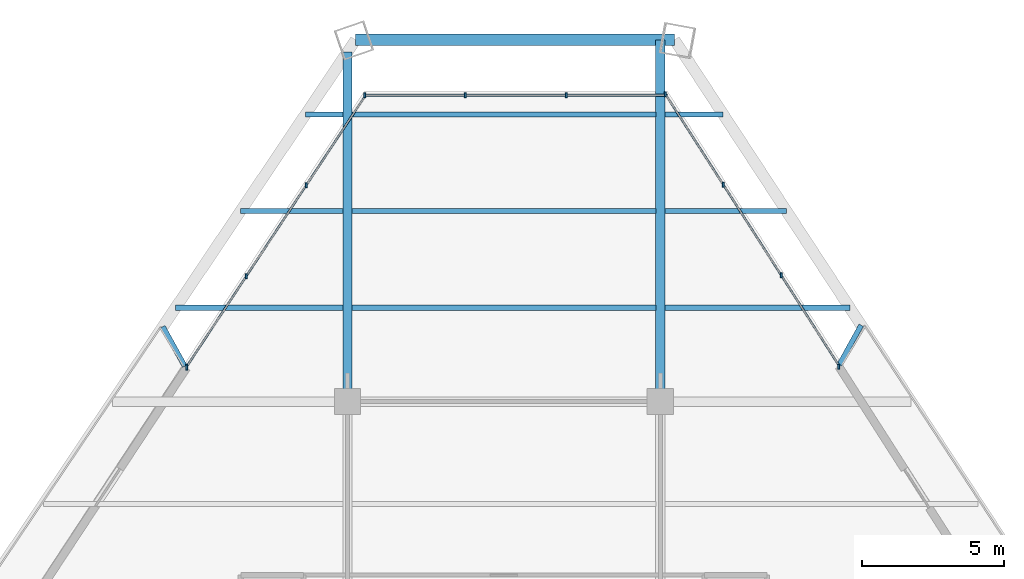
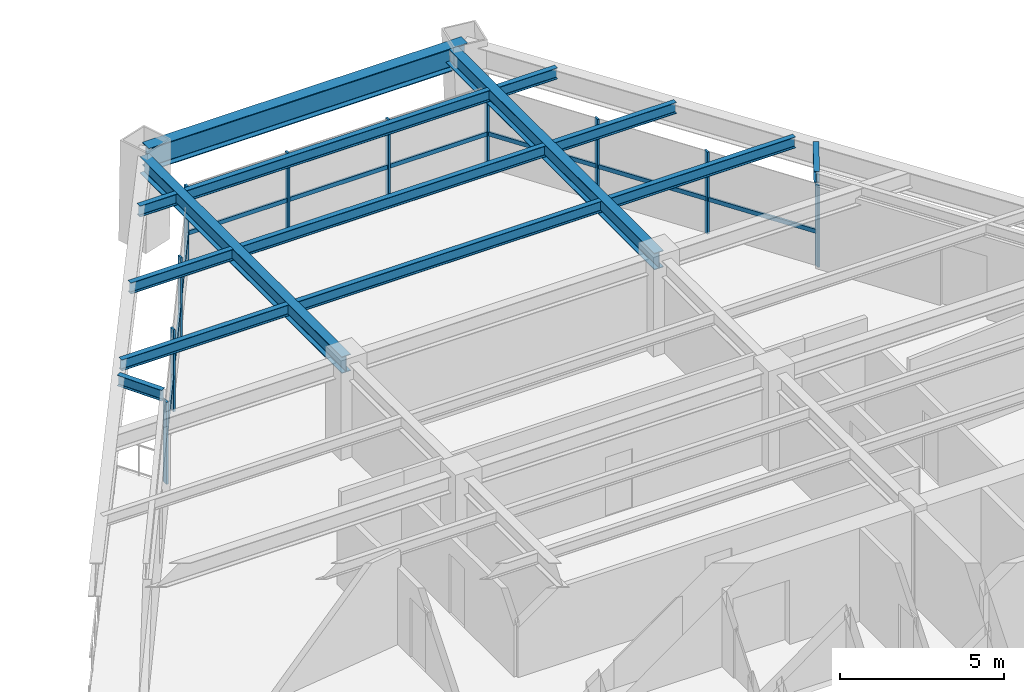
# One storey, part 8 of 14: 20 members, 14 beams, 3 elements without a shape of their own.
"""IFC4 building model written with IfcOpenShell, lengths in metres."""

from ifc_helpers import new_model, si_unit, direction, frame, origin, origin_2d, place, context, subcontext, project, spatial, rectangle, i_section, extrude, source, transform, mapped, material, material_profile, profile_set, type_object, type_shapes, element, aggregate, save


model = new_model("IFC4")

# Units and contexts
model_context = context("Model", 3, precision=1e-05, world=origin(), true_north=direction((0.0, 1.0)))
body_context = subcontext(model_context, "Body", "Model", "MODEL_VIEW")
ifc_project = project(units=[si_unit("LENGTHUNIT", "METRE"), si_unit("AREAUNIT", "SQUARE_METRE"), si_unit("VOLUMEUNIT", "CUBIC_METRE"), si_unit("PLANEANGLEUNIT", "RADIAN"), si_unit("MASSUNIT", "GRAM", prefix="KILO")], contexts=[model_context])

# Site, building, storey
site_placement = place(None, origin())
site = spatial("IfcSite", under=ifc_project, at=site_placement, CompositionType="ELEMENT")
building_placement = place(site_placement, origin())
building = spatial("IfcBuilding", under=site, at=building_placement, Name="Varnakhor Terracotta Tower", CompositionType="ELEMENT")
storey_placement = place(building_placement, frame((0.0, 0.0, 125.60009765625)))
storey = spatial("IfcBuildingStorey", under=building, at=storey_placement, Name="L31", CompositionType="ELEMENT", Elevation=125.60009765625)

# Beams
ifc_material_1 = material(Name="Steel S355", Category="steel")
ifc_material_profile_1 = material_profile(ifc_material_1, i_section(OverallWidth=0.179931640625, OverallDepth=0.4130859375, WebThickness=0.009765625, FlangeThickness=0.01611328125, FilletRadius=0.01806640625, at=origin_2d()), Name="W16X50")
ifc_profile_set_1 = profile_set([ifc_material_profile_1], Name="Steel S355")
beam_type_1 = type_object("IfcBeamType", Name="JST-W16X50", PredefinedType="JOIST", material=ifc_profile_set_1)
shared_shape_1 = source(origin(), body_context, "Body", "SweptSolid", [
    extrude(i_section(OverallWidth=0.179931640625, OverallDepth=0.4130859375, WebThickness=0.009765625, FlangeThickness=0.01611328125, FilletRadius=0.01806640625, at=origin_2d()), origin(), (0.0, 0.0, 1.0), 10.68310546875),
])
for number, where, z_axis, x_axis, name in (
    (1, (-5.341552734375, 34.800048828125, 3.263427734375), (1.0, 0.0, 0.0), (0.0, 1.0, 0.0), "L31 Composite Floor Joist 7-2"),
    (2, (-5.341552734375, 38.199951171875, 3.263427734375), (1.0, 0.0, 0.0), (0.0, 1.0, 0.0), "L31 Composite Floor Joist 8-2"),
    (3, (-5.341552734375, 41.60009765625, 3.263427734375), (1.0, 0.0, 0.0), (0.0, 1.0, 0.0), "L31 Composite Floor Joist 9-2"),
):
    element("IfcBeam", number, at=place(storey_placement, frame(where, z_axis=z_axis, x_axis=x_axis)), inside=storey, type_object=beam_type_1, Name=name, PredefinedType="JOIST", context=body_context, shape_type="MappedRepresentation", body=[
        mapped(shared_shape_1, transform((0.0, 0.0, 0.0), scale=1.0)),
    ])
ifc_material_profile_2 = material_profile(ifc_material_1, i_section(OverallWidth=0.39990234375, OverallDepth=0.85498046875, WebThickness=0.01806640625, FlangeThickness=0.029052734375, FilletRadius=0.01806640625, at=origin_2d()), Name="W33X201")
ifc_profile_set_2 = profile_set([ifc_material_profile_2], Name="Steel S355")
beam_type_2 = type_object("IfcBeamType", Name="BM-W33X201", PredefinedType="BEAM", material=ifc_profile_set_2)
shared_shape_2 = source(origin(), body_context, "Body", "SweptSolid", [
    extrude(i_section(OverallWidth=0.39990234375, OverallDepth=0.85498046875, WebThickness=0.01806640625, FlangeThickness=0.029052734375, FilletRadius=0.01806640625, at=origin_2d()), origin(), (0.0, 0.0, 1.0), 11.21240234375),
])
beam_1_placement = place(storey_placement, frame((5.99755859375, 44.220947265625, 3.04248046875), z_axis=(-1.0, 0.0, 0.0), x_axis=(0.0, -1.0, 0.0)))
element("IfcBeam", 4, at=beam_1_placement, inside=storey, type_object=beam_type_2, Name="L31 Perimeter Spandrel 5", PredefinedType="BEAM", context=body_context, shape_type="MappedRepresentation", body=[
    mapped(shared_shape_2, transform((0.0, 0.0, 0.0), scale=1.0)),
])
ifc_material_profile_3 = material_profile(ifc_material_1, i_section(OverallWidth=0.324951171875, OverallDepth=0.615966796875, WebThickness=0.013916015625, FlangeThickness=0.02197265625, FilletRadius=0.01806640625, at=origin_2d()), Name="W24X117")
ifc_profile_set_3 = profile_set([ifc_material_profile_3], Name="Steel S355")
beam_type_3 = type_object("IfcBeamType", Name="BM-W24X117", PredefinedType="BEAM", material=ifc_profile_set_3)
shared_shape_3 = source(origin(), body_context, "Body", "SweptSolid", [
    extrude(i_section(OverallWidth=0.324951171875, OverallDepth=0.615966796875, WebThickness=0.013916015625, FlangeThickness=0.02197265625, FilletRadius=0.01806640625, at=origin_2d()), origin(), (0.0, 0.0, 1.0), 12.296875),
])
beam_2_placement = place(storey_placement, frame((-5.5, 31.5, 3.161865234375), z_axis=(0.0, 1.0, 0.0), x_axis=(-1.0, 0.0, 0.0)))
element("IfcBeam", 5, at=beam_2_placement, inside=storey, type_object=beam_type_3, Name="L31 Primary Girder NS3-W", PredefinedType="BEAM", context=body_context, shape_type="MappedRepresentation", body=[
    mapped(shared_shape_3, transform((0.0, 0.0, 0.0), scale=1.0)),
])
shared_shape_4 = source(origin(), body_context, "Body", "SweptSolid", [
    extrude(i_section(OverallWidth=0.324951171875, OverallDepth=0.615966796875, WebThickness=0.013916015625, FlangeThickness=0.02197265625, FilletRadius=0.01806640625, at=origin_2d()), origin(), (0.0, 0.0, 1.0), 12.720947265625),
])
beam_3_placement = place(storey_placement, frame((5.5, 31.5, 3.161865234375), z_axis=(0.0, 1.0, 0.0), x_axis=(-1.0, 0.0, 0.0)))
element("IfcBeam", 6, at=beam_3_placement, inside=storey, type_object=beam_type_3, Name="L31 Primary Girder NS3-E", PredefinedType="BEAM", context=body_context, shape_type="MappedRepresentation", body=[
    mapped(shared_shape_4, transform((0.0, 0.0, 0.0), scale=1.0)),
])
shared_shape_5 = source(origin(), body_context, "Body", "SweptSolid", [
    extrude(i_section(OverallWidth=0.179931640625, OverallDepth=0.4130859375, WebThickness=0.009765625, FlangeThickness=0.01611328125, FilletRadius=0.01806640625, at=origin_2d()), origin(), (0.0, 0.0, 1.0), 5.88818359375),
])
beam_4_placement = place(storey_placement, frame((-11.546630859375, 34.800048828125, 3.263427734375), z_axis=(1.0, 0.0, 0.0), x_axis=(0.0, 1.0, 0.0)))
element("IfcBeam", 7, at=beam_4_placement, inside=storey, type_object=beam_type_1, Name="L31 Composite Floor Joist 7-1", PredefinedType="JOIST", context=body_context, shape_type="MappedRepresentation", body=[
    mapped(shared_shape_5, transform((0.0, 0.0, 0.0), scale=1.0)),
])
shared_shape_6 = source(origin(), body_context, "Body", "SweptSolid", [
    extrude(i_section(OverallWidth=0.179931640625, OverallDepth=0.4130859375, WebThickness=0.009765625, FlangeThickness=0.01611328125, FilletRadius=0.01806640625, at=origin_2d()), origin(), (0.0, 0.0, 1.0), 6.504150390625),
])
beam_5_placement = place(storey_placement, frame((5.658447265625, 34.800048828125, 3.263427734375), z_axis=(1.0, 0.0, 0.0), x_axis=(0.0, 1.0, 0.0)))
element("IfcBeam", 8, at=beam_5_placement, inside=storey, type_object=beam_type_1, Name="L31 Composite Floor Joist 7-3", PredefinedType="JOIST", context=body_context, shape_type="MappedRepresentation", body=[
    mapped(shared_shape_6, transform((0.0, 0.0, 0.0), scale=1.0)),
])
shared_shape_7 = source(origin(), body_context, "Body", "SweptSolid", [
    extrude(i_section(OverallWidth=0.179931640625, OverallDepth=0.4130859375, WebThickness=0.009765625, FlangeThickness=0.01611328125, FilletRadius=0.01806640625, at=origin_2d()), origin(), (0.0, 0.0, 1.0), 3.603271484375),
])
beam_6_placement = place(storey_placement, frame((-9.26171875, 38.199951171875, 3.263427734375), z_axis=(1.0, 0.0, 0.0), x_axis=(0.0, 1.0, 0.0)))
element("IfcBeam", 9, at=beam_6_placement, inside=storey, type_object=beam_type_1, Name="L31 Composite Floor Joist 8-1", PredefinedType="JOIST", context=body_context, shape_type="MappedRepresentation", body=[
    mapped(shared_shape_7, transform((0.0, 0.0, 0.0), scale=1.0)),
])
shared_shape_8 = source(origin(), body_context, "Body", "SweptSolid", [
    extrude(i_section(OverallWidth=0.179931640625, OverallDepth=0.4130859375, WebThickness=0.009765625, FlangeThickness=0.01611328125, FilletRadius=0.01806640625, at=origin_2d()), origin(), (0.0, 0.0, 1.0), 4.279052734375),
])
beam_7_placement = place(storey_placement, frame((5.658447265625, 38.199951171875, 3.263427734375), z_axis=(1.0, 0.0, 0.0), x_axis=(0.0, 1.0, 0.0)))
element("IfcBeam", 10, at=beam_7_placement, inside=storey, type_object=beam_type_1, Name="L31 Composite Floor Joist 8-3", PredefinedType="JOIST", context=body_context, shape_type="MappedRepresentation", body=[
    mapped(shared_shape_8, transform((0.0, 0.0, 0.0), scale=1.0)),
])
shared_shape_9 = source(origin(), body_context, "Body", "SweptSolid", [
    extrude(i_section(OverallWidth=0.179931640625, OverallDepth=0.4130859375, WebThickness=0.009765625, FlangeThickness=0.01611328125, FilletRadius=0.01806640625, at=origin_2d()), origin(), (0.0, 0.0, 1.0), 1.318115234375),
])
beam_8_placement = place(storey_placement, frame((-6.9765625, 41.60009765625, 3.263427734375), z_axis=(1.0, 0.0, 0.0), x_axis=(0.0, 1.0, 0.0)))
element("IfcBeam", 11, at=beam_8_placement, inside=storey, type_object=beam_type_1, Name="L31 Composite Floor Joist 9-1", PredefinedType="JOIST", context=body_context, shape_type="MappedRepresentation", body=[
    mapped(shared_shape_9, transform((0.0, 0.0, 0.0), scale=1.0)),
])
shared_shape_10 = source(origin(), body_context, "Body", "SweptSolid", [
    extrude(i_section(OverallWidth=0.179931640625, OverallDepth=0.4130859375, WebThickness=0.009765625, FlangeThickness=0.01611328125, FilletRadius=0.01806640625, at=origin_2d()), origin(), (0.0, 0.0, 1.0), 2.05419921875),
])
beam_9_placement = place(storey_placement, frame((5.658447265625, 41.60009765625, 3.263427734375), z_axis=(1.0, 0.0, 0.0), x_axis=(0.0, 1.0, 0.0)))
element("IfcBeam", 12, at=beam_9_placement, inside=storey, type_object=beam_type_1, Name="L31 Composite Floor Joist 9-3", PredefinedType="JOIST", context=body_context, shape_type="MappedRepresentation", body=[
    mapped(shared_shape_10, transform((0.0, 0.0, 0.0), scale=1.0)),
])

# Curtain wall, members
ifc_material_2 = material(Name="Anodised Aluminium Curtain Wall System", Category="aluminium")
curtain_wall_type = type_object("IfcCurtainWallType", Name="CW-SYS-MID-OFFICE", PredefinedType="NOTDEFINED", material=ifc_material_2)
curtain_wall_1_placement = place(storey_placement, origin())
curtain_wall_1 = element("IfcCurtainWall", 13, at=curtain_wall_1_placement, inside=storey, type_object=curtain_wall_type, Name="L31 W Facet Curtain Wall 2", PredefinedType="NOTDEFINED")
ifc_material_3 = material(Name="Anodised Aluminium 6063-T6", Category="aluminium")
ifc_material_profile_4 = material_profile(ifc_material_3, rectangle(XDim=0.070068359375, YDim=0.175048828125, at=origin_2d()), Name="ALU MULLION 70x175")
ifc_profile_set_4 = profile_set([ifc_material_profile_4], Name="Anodised Aluminium 6063-T6")
member_type_1 = type_object("IfcMemberType", Name="CWM-03", PredefinedType="MULLION", material=ifc_profile_set_4)
shared_shape_11 = source(origin(), body_context, "Body", "SweptSolid", [
    extrude(rectangle(XDim=0.070068359375, YDim=0.175048828125, at=origin_2d()), origin(), (0.0, 0.0, 1.0), 3.0498046875),
])
type_shapes(member_type_1, [shared_shape_11])
member_1_placement = place(storey_placement, frame((-11.159912109375, 32.720703125, 0.0), z_axis=(0.0, 0.0, 1.0), x_axis=(1.0, 0.0, 0.0)))
member_1 = element("IfcMember", 14, at=member_1_placement, type_object=member_type_1, Name="L31 W Facet Curtain Wall 2 Mullion 1", PredefinedType="MULLION", context=body_context, shape_type="MappedRepresentation", body=[
    mapped(shared_shape_11, transform((0.0, 0.0, 0.0), scale=1.0)),
])
member_2_placement = place(storey_placement, frame((-9.0537109375, 35.916015625, 0.0), z_axis=(0.0, 0.0, 1.0), x_axis=(1.0, 0.0, 0.0)))
member_2 = element("IfcMember", 15, at=member_2_placement, type_object=member_type_1, Name="L31 W Facet Curtain Wall 2 Mullion 2", PredefinedType="MULLION", context=body_context, shape_type="MappedRepresentation", body=[
    mapped(shared_shape_11, transform((0.0, 0.0, 0.0), scale=1.0)),
])
member_3_placement = place(storey_placement, frame((-6.947509765625, 39.111083984375, 0.0), z_axis=(0.0, 0.0, 1.0), x_axis=(1.0, 0.0, 0.0)))
member_3 = element("IfcMember", 16, at=member_3_placement, type_object=member_type_1, Name="L31 W Facet Curtain Wall 2 Mullion 3", PredefinedType="MULLION", context=body_context, shape_type="MappedRepresentation", body=[
    mapped(shared_shape_11, transform((0.0, 0.0, 0.0), scale=1.0)),
])
member_4_placement = place(storey_placement, frame((-11.159912109375, 32.684814453125, 0.0), z_axis=(0.0, 0.0, 1.0), x_axis=(1.0, 0.0, 0.0)))
member_4 = element("IfcMember", 17, at=member_4_placement, type_object=member_type_1, Name="L31 W Loggia Jamb Closure Mullion 2", PredefinedType="MULLION", context=body_context, shape_type="MappedRepresentation", body=[
    mapped(shared_shape_11, transform((0.0, 0.0, 0.0), scale=1.0)),
])

curtain_wall_2_placement = place(storey_placement, origin())
curtain_wall_2 = element("IfcCurtainWall", 18, at=curtain_wall_2_placement, inside=storey, type_object=curtain_wall_type, Name="L31 Facet Curtain Wall 2", PredefinedType="NOTDEFINED")
member_5_placement = place(storey_placement, frame((-4.89501953125, 42.27734375, 0.0), z_axis=(0.0, 0.0, 1.0), x_axis=(1.0, 0.0, 0.0)))
member_5 = element("IfcMember", 19, at=member_5_placement, type_object=member_type_1, Name="L31 Facet Curtain Wall 2 Mullion 1", PredefinedType="MULLION", context=body_context, shape_type="MappedRepresentation", body=[
    mapped(shared_shape_11, transform((0.0, 0.0, 0.0), scale=1.0)),
])
member_6_placement = place(storey_placement, frame((-1.35107421875, 42.27734375, 0.0), z_axis=(0.0, 0.0, 1.0), x_axis=(1.0, 0.0, 0.0)))
member_6 = element("IfcMember", 20, at=member_6_placement, type_object=member_type_1, Name="L31 Facet Curtain Wall 2 Mullion 2", PredefinedType="MULLION", context=body_context, shape_type="MappedRepresentation", body=[
    mapped(shared_shape_11, transform((0.0, 0.0, 0.0), scale=1.0)),
])
member_7_placement = place(storey_placement, frame((2.193115234375, 42.27734375, 0.0), z_axis=(0.0, 0.0, 1.0), x_axis=(1.0, 0.0, 0.0)))
member_7 = element("IfcMember", 21, at=member_7_placement, type_object=member_type_1, Name="L31 Facet Curtain Wall 2 Mullion 3", PredefinedType="MULLION", context=body_context, shape_type="MappedRepresentation", body=[
    mapped(shared_shape_11, transform((0.0, 0.0, 0.0), scale=1.0)),
])

curtain_wall_3_placement = place(storey_placement, origin())
curtain_wall_3 = element("IfcCurtainWall", 22, at=curtain_wall_3_placement, inside=storey, type_object=curtain_wall_type, Name="L31 E Facet Curtain Wall 1", PredefinedType="NOTDEFINED")
member_8_placement = place(storey_placement, frame((5.682373046875, 42.307373046875, 0.0), z_axis=(0.0, 0.0, 1.0), x_axis=(1.0, 0.0, 0.0)))
member_8 = element("IfcMember", 23, at=member_8_placement, type_object=member_type_1, Name="L31 E Facet Curtain Wall 1 Mullion 1", PredefinedType="MULLION", context=body_context, shape_type="MappedRepresentation", body=[
    mapped(shared_shape_11, transform((0.0, 0.0, 0.0), scale=1.0)),
])
member_9_placement = place(storey_placement, frame((7.71484375, 39.12841796875, 0.0), z_axis=(0.0, 0.0, 1.0), x_axis=(1.0, 0.0, 0.0)))
member_9 = element("IfcMember", 24, at=member_9_placement, type_object=member_type_1, Name="L31 E Facet Curtain Wall 1 Mullion 2", PredefinedType="MULLION", context=body_context, shape_type="MappedRepresentation", body=[
    mapped(shared_shape_11, transform((0.0, 0.0, 0.0), scale=1.0)),
])
member_10_placement = place(storey_placement, frame((9.747314453125, 35.94921875, 0.0), z_axis=(0.0, 0.0, 1.0), x_axis=(1.0, 0.0, 0.0)))
member_10 = element("IfcMember", 25, at=member_10_placement, type_object=member_type_1, Name="L31 E Facet Curtain Wall 1 Mullion 3", PredefinedType="MULLION", context=body_context, shape_type="MappedRepresentation", body=[
    mapped(shared_shape_11, transform((0.0, 0.0, 0.0), scale=1.0)),
])
member_11_placement = place(storey_placement, frame((11.77880859375, 32.734130859375, 0.0), z_axis=(0.0, 0.0, 1.0), x_axis=(1.0, 0.0, 0.0)))
member_11 = element("IfcMember", 26, at=member_11_placement, type_object=member_type_1, Name="L31 E Loggia Jamb Closure Mullion 1", PredefinedType="MULLION", context=body_context, shape_type="MappedRepresentation", body=[
    mapped(shared_shape_11, transform((0.0, 0.0, 0.0), scale=1.0)),
])

# Member
ifc_material_profile_5 = material_profile(ifc_material_3, rectangle(XDim=0.070068359375, YDim=0.155029296875, at=origin_2d()), Name="ALU TRANSOM 70x155")
ifc_profile_set_5 = profile_set([ifc_material_profile_5], Name="Anodised Aluminium 6063-T6")
member_type_2 = type_object("IfcMemberType", Name="CWT-03", PredefinedType="USERDEFINED", material=ifc_profile_set_5)
shared_shape_12 = source(origin(), body_context, "Body", "SweptSolid", [
    extrude(rectangle(XDim=0.070068359375, YDim=0.155029296875, at=origin_2d()), origin(), (0.0, 0.0, 1.0), 3.826904296875),
])
type_shapes(member_type_2, [shared_shape_12])
member_12_placement = place(storey_placement, frame((-11.159912109375, 32.720703125, 1.281005859375), z_axis=(0.550349749618, 0.834934220819, 0.0), x_axis=(-0.834934220819, 0.550349749618, 0.0)))
member_12 = element("IfcMember", 27, at=member_12_placement, type_object=member_type_2, Name="L31 W Facet Curtain Wall 2 Transom 1", ObjectType="TRANSOM", PredefinedType="USERDEFINED", context=body_context, shape_type="MappedRepresentation", body=[
    mapped(shared_shape_12, transform((0.0, 0.0, 0.0), scale=1.0)),
])

member_13_placement = place(storey_placement, frame((-9.0537109375, 35.916015625, 1.281005859375), z_axis=(0.550379064498, 0.834914897078, 0.0), x_axis=(-0.834914897078, 0.550379064498, 0.0)))
member_13 = element("IfcMember", 28, at=member_13_placement, type_object=member_type_2, Name="L31 W Facet Curtain Wall 2 Transom 2", ObjectType="TRANSOM", PredefinedType="USERDEFINED", context=body_context, shape_type="MappedRepresentation", body=[
    mapped(shared_shape_12, transform((0.0, 0.0, 0.0), scale=1.0)),
])

member_14_placement = place(storey_placement, frame((-6.947509765625, 39.111083984375, 1.281005859375), z_axis=(0.550379064498, 0.834914897078, 0.0), x_axis=(-0.834914897078, 0.550379064498, 0.0)))
member_14 = element("IfcMember", 29, at=member_14_placement, type_object=member_type_2, Name="L31 W Facet Curtain Wall 2 Transom 3", ObjectType="TRANSOM", PredefinedType="USERDEFINED", context=body_context, shape_type="MappedRepresentation", body=[
    mapped(shared_shape_12, transform((0.0, 0.0, 0.0), scale=1.0)),
])

aggregate(curtain_wall_1, [member_1, member_12, member_2, member_13, member_3, member_14, member_4])

shared_shape_13 = source(origin(), body_context, "Body", "SweptSolid", [
    extrude(rectangle(XDim=0.070068359375, YDim=0.155029296875, at=origin_2d()), origin(), (0.0, 0.0, 1.0), 3.5439453125),
])
member_15_placement = place(storey_placement, frame((-4.89501953125, 42.27734375, 1.281005859375), z_axis=(1.0, 0.0, 0.0), x_axis=(0.0, 1.0, 0.0)))
member_15 = element("IfcMember", 30, at=member_15_placement, type_object=member_type_2, Name="L31 Facet Curtain Wall 2 Transom 1", ObjectType="TRANSOM", PredefinedType="USERDEFINED", context=body_context, shape_type="MappedRepresentation", body=[
    mapped(shared_shape_13, transform((0.0, 0.0, 0.0), scale=1.0)),
])

shared_shape_14 = source(origin(), body_context, "Body", "SweptSolid", [
    extrude(rectangle(XDim=0.070068359375, YDim=0.155029296875, at=origin_2d()), origin(), (0.0, 0.0, 1.0), 3.544189453125),
])
member_16_placement = place(storey_placement, frame((-1.35107421875, 42.27734375, 1.281005859375), z_axis=(1.0, 0.0, 0.0), x_axis=(0.0, 1.0, 0.0)))
member_16 = element("IfcMember", 31, at=member_16_placement, type_object=member_type_2, Name="L31 Facet Curtain Wall 2 Transom 2", ObjectType="TRANSOM", PredefinedType="USERDEFINED", context=body_context, shape_type="MappedRepresentation", body=[
    mapped(shared_shape_14, transform((0.0, 0.0, 0.0), scale=1.0)),
])

member_17_placement = place(storey_placement, frame((2.193115234375, 42.27734375, 1.281005859375), z_axis=(1.0, 0.0, 0.0), x_axis=(0.0, 1.0, 0.0)))
member_17 = element("IfcMember", 32, at=member_17_placement, type_object=member_type_2, Name="L31 Facet Curtain Wall 2 Transom 3", ObjectType="TRANSOM", PredefinedType="USERDEFINED", context=body_context, shape_type="MappedRepresentation", body=[
    mapped(shared_shape_14, transform((0.0, 0.0, 0.0), scale=1.0)),
])

aggregate(curtain_wall_2, [member_5, member_15, member_6, member_16, member_7, member_17])

shared_shape_15 = source(origin(), body_context, "Body", "SweptSolid", [
    extrude(rectangle(XDim=0.070068359375, YDim=0.155029296875, at=origin_2d()), origin(), (0.0, 0.0, 1.0), 3.773193359375),
])
member_18_placement = place(storey_placement, frame((5.682373046875, 42.307373046875, 1.281005859375), z_axis=(0.538666219383, -0.842519260371, 0.0), x_axis=(0.842519260371, 0.538666219383, 0.0)))
member_18 = element("IfcMember", 33, at=member_18_placement, type_object=member_type_2, Name="L31 E Facet Curtain Wall 1 Transom 1", ObjectType="TRANSOM", PredefinedType="USERDEFINED", context=body_context, shape_type="MappedRepresentation", body=[
    mapped(shared_shape_15, transform((0.0, 0.0, 0.0), scale=1.0)),
])

shared_shape_16 = source(origin(), body_context, "Body", "SweptSolid", [
    extrude(rectangle(XDim=0.070068359375, YDim=0.155029296875, at=origin_2d()), origin(), (0.0, 0.0, 1.0), 3.7734375),
])
member_19_placement = place(storey_placement, frame((7.71484375, 39.12841796875, 1.281005859375), z_axis=(0.538636855314, -0.842538033621, 0.0), x_axis=(0.842538033621, 0.538636855314, 0.0)))
member_19 = element("IfcMember", 34, at=member_19_placement, type_object=member_type_2, Name="L31 E Facet Curtain Wall 1 Transom 2", ObjectType="TRANSOM", PredefinedType="USERDEFINED", context=body_context, shape_type="MappedRepresentation", body=[
    mapped(shared_shape_16, transform((0.0, 0.0, 0.0), scale=1.0)),
])

shared_shape_17 = source(origin(), body_context, "Body", "SweptSolid", [
    extrude(rectangle(XDim=0.070068359375, YDim=0.155029296875, at=origin_2d()), origin(), (0.0, 0.0, 1.0), 3.77294921875),
])
member_20_placement = place(storey_placement, frame((9.747314453125, 35.94921875, 1.281005859375), z_axis=(0.538620287116, -0.842548625485, 0.0), x_axis=(0.842548625485, 0.538620287116, 0.0)))
member_20 = element("IfcMember", 35, at=member_20_placement, type_object=member_type_2, Name="L31 E Facet Curtain Wall 1 Transom 3", ObjectType="TRANSOM", PredefinedType="USERDEFINED", context=body_context, shape_type="MappedRepresentation", body=[
    mapped(shared_shape_17, transform((0.0, 0.0, 0.0), scale=1.0)),
])

aggregate(curtain_wall_3, [member_8, member_18, member_9, member_19, member_10, member_20, member_11])

# Beams
ifc_material_profile_6 = material_profile(ifc_material_1, i_section(OverallWidth=0.179931640625, OverallDepth=0.39990234375, WebThickness=0.008544921875, FlangeThickness=0.013427734375, FilletRadius=0.01806640625, at=origin_2d()), Name="IPE400")
ifc_profile_set_6 = profile_set([ifc_material_profile_6], Name="Steel S355")
beam_type_4 = type_object("IfcBeamType", Name="JST-IPE400", PredefinedType="JOIST", material=ifc_profile_set_6)
shared_shape_18 = source(origin(), body_context, "Body", "SweptSolid", [
    extrude(i_section(OverallWidth=0.179931640625, OverallDepth=0.39990234375, WebThickness=0.008544921875, FlangeThickness=0.013427734375, FilletRadius=0.01806640625, at=origin_2d()), origin(), (0.0, 0.0, 1.0), 1.594970703125),
])
beam_10_placement = place(storey_placement, frame((11.791259765625, 32.7919921875, 3.27001953125), z_axis=(0.484173600206, 0.874971956616, 0.0), x_axis=(-0.874971956616, 0.484173600206, 0.0)))
element("IfcBeam", 36, at=beam_10_placement, inside=storey, type_object=beam_type_4, Name="L32 E Loggia Tie Beam 1", PredefinedType="JOIST", context=body_context, shape_type="MappedRepresentation", body=[
    mapped(shared_shape_18, transform((0.0, 0.0, 0.0), scale=1.0)),
])
shared_shape_19 = source(origin(), body_context, "Body", "SweptSolid", [
    extrude(i_section(OverallWidth=0.179931640625, OverallDepth=0.39990234375, WebThickness=0.008544921875, FlangeThickness=0.013427734375, FilletRadius=0.01806640625, at=origin_2d()), origin(), (0.0, 0.0, 1.0), 1.593994140625),
])
beam_11_placement = place(storey_placement, frame((-11.218994140625, 32.742431640625, 3.27001953125), z_axis=(-0.485694949556, 0.874128374997, 0.0), x_axis=(-0.874128374997, -0.485694949556, 0.0)))
element("IfcBeam", 37, at=beam_11_placement, inside=storey, type_object=beam_type_4, Name="L32 W Loggia Tie Beam 2", PredefinedType="JOIST", context=body_context, shape_type="MappedRepresentation", body=[
    mapped(shared_shape_19, transform((0.0, 0.0, 0.0), scale=1.0)),
])

save(model, "model.ifc")
